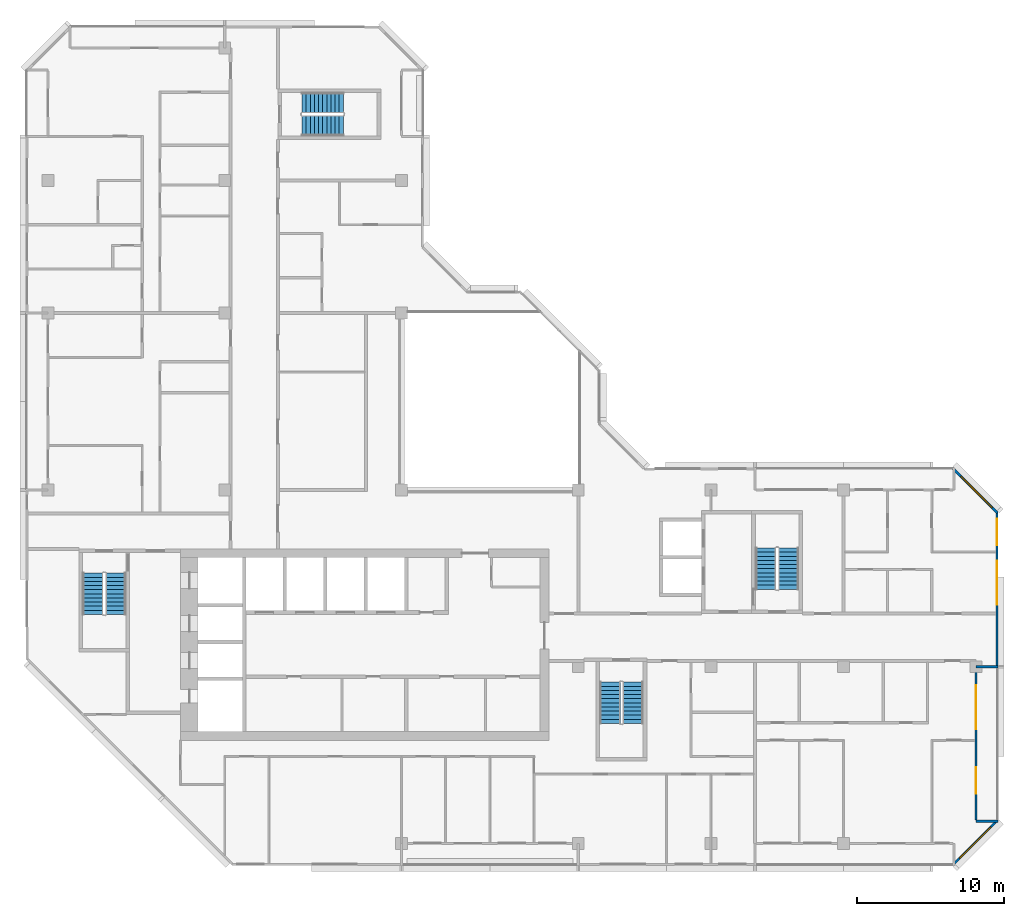
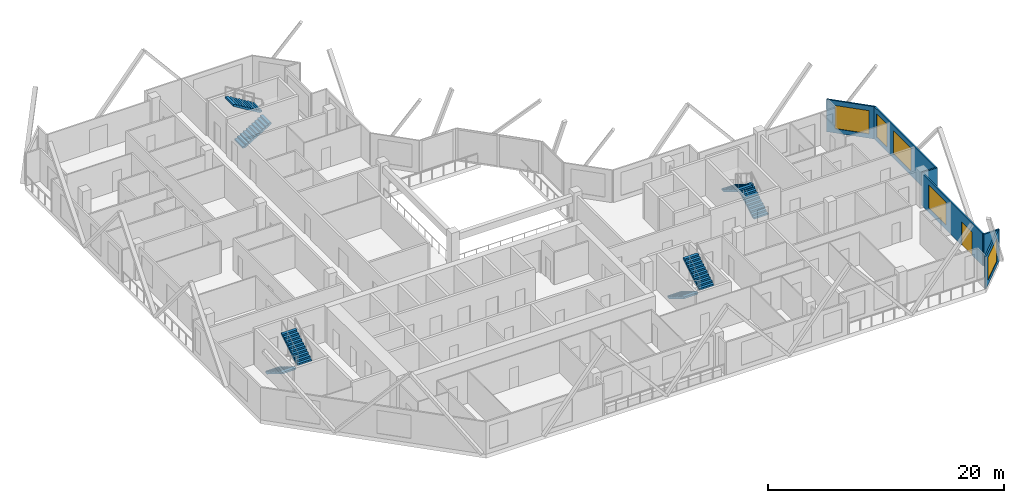
# One storey, part 11 of 13: 8 stair flights, 6 walls, 5 windows, 1 door, 6 openings, 4 elements without a shape of their own.
"""IFC4 building model written with IfcOpenShell, lengths in metres."""

from ifc_helpers import new_model, si_unit, direction, frame, frame_2d, origin, place, context, subcontext, project, spatial, polyline, rectangle, outline, extrude, material, layer, layer_set, type_object, element, fill, aggregate, save


model = new_model("IFC4")

# Units and contexts
model_context = context("Model", 3, precision=1e-05, world=origin(), true_north=direction((0.0, 1.0)))
body_context = subcontext(model_context, "Body", "Model", "MODEL_VIEW")
ifc_project = project(units=[si_unit("LENGTHUNIT", "METRE"), si_unit("AREAUNIT", "SQUARE_METRE"), si_unit("VOLUMEUNIT", "CUBIC_METRE"), si_unit("PLANEANGLEUNIT", "RADIAN"), si_unit("MASSUNIT", "GRAM", prefix="KILO")], contexts=[model_context])

# Site, building, storey
site_placement = place(None, origin())
site = spatial("IfcSite", under=ifc_project, at=site_placement, CompositionType="ELEMENT")
building_placement = place(site_placement, origin())
building = spatial("IfcBuilding", under=site, at=building_placement, Name="Chenar Terraces", CompositionType="ELEMENT")
storey_placement = place(building_placement, frame((0.0, 0.0, 288.39990234375)))
storey = spatial("IfcBuildingStorey", under=building, at=storey_placement, Name="L67", CompositionType="ELEMENT", Elevation=288.39990234375)

# Wall, openings, windows
ifc_material_1 = material(Name="Aluminium framed glazing", Category="aluminium")
ifc_layer_1 = layer(ifc_material_1, 0.14990234375)
ifc_layer_set_1 = layer_set([ifc_layer_1], Name="Aluminium framed glazing")
wall_type_1 = type_object("IfcWallType", Name="Glazed flush facade wall 150", PredefinedType="SOLIDWALL", material=ifc_layer_set_1)
wall_1_placement = place(storey_placement, frame((64.425048828125, 12.074951171875, 0.0), z_axis=(0.0, 0.0, 1.0), x_axis=(0.0, 1.0, 0.0)))
wall_1 = element("IfcWall", 1, at=wall_1_placement, inside=storey, type_object=wall_type_1, Name="Glazed flush facade wall", PredefinedType="SOLIDWALL", context=body_context, shape_type="SweptSolid", body=[
    extrude(rectangle(XDim=10.425048828125, YDim=0.14990234375, at=frame_2d((5.21240234375, 0.0))), origin(), (0.0, 0.0, 1.0), 3.35009765625),
])
opening_1_placement = place(wall_1_placement, frame((4.125, 0.0, 0.449951171875)))
opening_1 = element("IfcOpeningElement", 2, at=opening_1_placement, cuts=wall_1, Name="Opening W300x240", PredefinedType="OPENING", context=body_context, shape_type="SweptSolid", body=[
    extrude(rectangle(XDim=3.0, YDim=2.39990234375, at=frame_2d((1.5, 1.199951171875))), frame((0.0, 0.0849609375, 0.0), z_axis=(0.0, -1.0, 0.0), x_axis=(1.0, 0.0, 0.0)), (0.0, 0.0, 1.0), 0.169921875),
])
opening_2_placement = place(wall_1_placement, frame((8.175048828125, 0.0, 0.449951171875)))
opening_2 = element("IfcOpeningElement", 3, at=opening_2_placement, cuts=wall_1, Name="Opening W180x240", PredefinedType="OPENING", context=body_context, shape_type="SweptSolid", body=[
    extrude(rectangle(XDim=1.800048828125, YDim=2.39990234375, at=frame_2d((0.89990234375, 1.199951171875))), frame((0.0, 0.0849609375, 0.0), z_axis=(0.0, -1.0, 0.0), x_axis=(1.0, 0.0, 0.0)), (0.0, 0.0, 1.0), 0.169921875),
])
ifc_material_2 = material(Name="Low emissivity double glazing, aluminium frame", Category="aluminium")
window_type_1 = type_object("IfcWindowType", Name="Fixed light 1800 x 2400", PartitioningType="SINGLE_PANEL", PredefinedType="WINDOW", material=ifc_material_2)
window_1_placement = place(opening_2_placement, origin())
window_1 = element("IfcWindow", 4, at=window_1_placement, inside=storey, type_object=window_type_1, Name="Window", OverallHeight=2.39990234375, OverallWidth=1.800048828125, PartitioningType="SINGLE_PANEL", PredefinedType="WINDOW", context=body_context, shape_type="SweptSolid", body=[
    extrude(rectangle(XDim=1.800048828125, YDim=2.39990234375, at=frame_2d((0.89990234375, 1.199951171875))), frame((0.0, 0.030029296875, 0.0), z_axis=(0.0, -1.0, 0.0), x_axis=(1.0, 0.0, 0.0)), (0.0, 0.0, 1.0), 0.06005859375),
])
fill(opening_2, window_1)
ifc_material_3 = material(Name="Low emissivity double glazing, aluminium frame", Category="aluminium")
window_type_2 = type_object("IfcWindowType", Name="Fixed light 3000 x 2400", PartitioningType="SINGLE_PANEL", PredefinedType="WINDOW", material=ifc_material_3)
window_2_placement = place(opening_1_placement, origin())
window_2 = element("IfcWindow", 5, at=window_2_placement, inside=storey, type_object=window_type_2, Name="Window", OverallHeight=2.39990234375, OverallWidth=3.0, PartitioningType="SINGLE_PANEL", PredefinedType="WINDOW", context=body_context, shape_type="SweptSolid", body=[
    extrude(rectangle(XDim=3.0, YDim=2.39990234375, at=frame_2d((1.5, 1.199951171875))), frame((0.0, 0.030029296875, 0.0), z_axis=(0.0, -1.0, 0.0), x_axis=(1.0, 0.0, 0.0)), (0.0, 0.0, 1.0), 0.06005859375),
])
fill(opening_1, window_2)

# Wall, openings, window, door
ifc_material_4 = material(Name="Aluminium framed glazing", Category="aluminium")
ifc_layer_2 = layer(ifc_material_4, 0.14990234375)
ifc_layer_set_2 = layer_set([ifc_layer_2], Name="Aluminium framed glazing")
wall_type_2 = type_object("IfcWallType", Name="Glazed loggia back wall 150", PredefinedType="SOLIDWALL", material=ifc_layer_set_2)
wall_2_placement = place(storey_placement, frame((63.0, 1.574951171875, 0.0), z_axis=(0.0, 0.0, 1.0), x_axis=(0.0, 1.0, 0.0)))
wall_2 = element("IfcWall", 6, at=wall_2_placement, inside=storey, type_object=wall_type_2, Name="Glazed loggia back wall", PredefinedType="SOLIDWALL", context=body_context, shape_type="SweptSolid", body=[
    extrude(rectangle(XDim=10.35009765625, YDim=0.14990234375, at=frame_2d((5.175048828125, 0.0))), origin(), (0.0, 0.0, 1.0), 3.35009765625),
])
opening_3_placement = place(wall_2_placement, frame((1.8125, 0.0, 0.0)))
opening_3 = element("IfcOpeningElement", 7, at=opening_3_placement, cuts=wall_2, Name="Opening DL67-G7", PredefinedType="OPENING", context=body_context, shape_type="SweptSolid", body=[
    extrude(rectangle(XDim=1.800048828125, YDim=2.39990234375, at=frame_2d((0.89990234375, 1.199951171875))), frame((0.0, 0.0849609375, 0.0), z_axis=(0.0, -1.0, 0.0), x_axis=(1.0, 0.0, 0.0)), (0.0, 0.0, 1.0), 0.169921875),
])
opening_4_placement = place(wall_2_placement, frame((6.175048828125, 0.0, 0.449951171875)))
opening_4 = element("IfcOpeningElement", 8, at=opening_4_placement, cuts=wall_2, Name="Opening W300x240", PredefinedType="OPENING", context=body_context, shape_type="SweptSolid", body=[
    extrude(rectangle(XDim=3.0, YDim=2.39990234375, at=frame_2d((1.5, 1.199951171875))), frame((0.0, 0.0849609375, 0.0), z_axis=(0.0, -1.0, 0.0), x_axis=(1.0, 0.0, 0.0)), (0.0, 0.0, 1.0), 0.169921875),
])
window_3_placement = place(opening_4_placement, origin())
window_3 = element("IfcWindow", 9, at=window_3_placement, inside=storey, type_object=window_type_2, Name="Window", OverallHeight=2.39990234375, OverallWidth=3.0, PartitioningType="SINGLE_PANEL", PredefinedType="WINDOW", context=body_context, shape_type="SweptSolid", body=[
    extrude(rectangle(XDim=3.0, YDim=2.39990234375, at=frame_2d((1.5, 1.199951171875))), frame((0.0, 0.030029296875, 0.0), z_axis=(0.0, -1.0, 0.0), x_axis=(1.0, 0.0, 0.0)), (0.0, 0.0, 1.0), 0.06005859375),
])
fill(opening_4, window_3)
ifc_material_5 = material(Name="Low emissivity double glazing, aluminium frame", Category="aluminium")
door_type = type_object("IfcDoorType", Name="Loggia glazed double door 1800 x 2400", OperationType="DOUBLE_DOOR_SINGLE_SWING", PredefinedType="DOOR", material=ifc_material_5)
door_placement = place(opening_3_placement, frame((1.800048828125, 0.0, 0.0), z_axis=(0.0, 0.0, 1.0), x_axis=(-1.0, 0.0, 0.0)))
door = element("IfcDoor", 10, at=door_placement, inside=storey, type_object=door_type, Name="Loggia glazed door", OperationType="DOUBLE_DOOR_SINGLE_SWING", OverallHeight=2.39990234375, OverallWidth=1.800048828125, PredefinedType="DOOR", context=body_context, shape_type="SweptSolid", body=[
    extrude(rectangle(XDim=1.800048828125, YDim=2.39990234375, at=frame_2d((0.89990234375, 1.199951171875))), frame((0.0, 0.02490234375, 0.0), z_axis=(0.0, -1.0, 0.0), x_axis=(1.0, 0.0, 0.0)), (0.0, 0.0, 1.0), 0.050048828125),
])
fill(opening_3, door)

# Walls
ifc_material_6 = material(Name="Terracotta cladding on insulated backing", Category="masonry")
ifc_layer_3 = layer(ifc_material_6, 0.14990234375)
ifc_layer_set_3 = layer_set([ifc_layer_3], Name="Terracotta cladding on insulated backing")
wall_type_3 = type_object("IfcWallType", Name="Loggia return wall 150", PredefinedType="SOLIDWALL", material=ifc_layer_set_3)
for number, where, z_axis, x_axis, name in (
    (11, (64.5, 1.5, 0.0), (0.0, 0.0, 1.0), (-1.0, 0.0, 0.0), "Loggia return wall"),
    (12, (64.5, 12.0, 0.0), (0.0, 0.0, 1.0), (-1.0, 0.0, 0.0), "Loggia return wall"),
):
    element("IfcWall", number, at=place(storey_placement, frame(where, z_axis=z_axis, x_axis=x_axis)), inside=storey, type_object=wall_type_3, Name=name, PredefinedType="SOLIDWALL", context=body_context, shape_type="SweptSolid", body=[
        extrude(rectangle(XDim=1.5, YDim=0.14990234375, at=frame_2d((0.75, 0.0))), origin(), (0.0, 0.0, 1.0), 3.35009765625),
    ])

# Wall, opening, window
ifc_material_7 = material(Name="Terracotta cladding on insulated backing", Category="masonry")
ifc_layer_4 = layer(ifc_material_7, 0.14990234375)
ifc_layer_set_4 = layer_set([ifc_layer_4], Name="Terracotta cladding on insulated backing")
wall_type_4 = type_object("IfcWallType", Name="Terracotta rainscreen wall 150", PredefinedType="SOLIDWALL", material=ifc_layer_set_4)
wall_3_placement = place(storey_placement, frame((61.447021484375, -1.447021484375, 0.0), z_axis=(0.0, 0.0, 1.0), x_axis=(0.707106781187, 0.707106781187, 0.0)))
wall_3 = element("IfcWall", 13, at=wall_3_placement, inside=storey, type_object=wall_type_4, Name="Terracotta rainscreen wall", PredefinedType="SOLIDWALL", context=body_context, shape_type="SweptSolid", body=[
    extrude(rectangle(XDim=4.24267578125, YDim=0.14990234375, at=frame_2d((2.121337890625, 0.0))), origin(), (0.0, 0.0, 1.0), 3.35009765625),
])
opening_5_placement = place(wall_3_placement, frame((0.621337890625, 0.0, 0.449951171875)))
opening_5 = element("IfcOpeningElement", 14, at=opening_5_placement, cuts=wall_3, Name="Opening W300x240", PredefinedType="OPENING", context=body_context, shape_type="SweptSolid", body=[
    extrude(rectangle(XDim=3.0, YDim=2.39990234375, at=frame_2d((1.5, 1.199951171875))), frame((0.0, 0.0849609375, 0.0), z_axis=(0.0, -1.0, 0.0), x_axis=(1.0, 0.0, 0.0)), (0.0, 0.0, 1.0), 0.169921875),
])
window_4_placement = place(opening_5_placement, origin())
window_4 = element("IfcWindow", 15, at=window_4_placement, inside=storey, type_object=window_type_2, Name="Window", OverallHeight=2.39990234375, OverallWidth=3.0, PartitioningType="SINGLE_PANEL", PredefinedType="WINDOW", context=body_context, shape_type="SweptSolid", body=[
    extrude(rectangle(XDim=3.0, YDim=2.39990234375, at=frame_2d((1.5, 1.199951171875))), frame((0.0, 0.030029296875, 0.0), z_axis=(0.0, -1.0, 0.0), x_axis=(1.0, 0.0, 0.0)), (0.0, 0.0, 1.0), 0.06005859375),
])
fill(opening_5, window_4)

wall_4_placement = place(storey_placement, frame((64.447021484375, 22.447021484375, 0.0), z_axis=(0.0, 0.0, 1.0), x_axis=(-0.707106781187, 0.707106781187, 0.0)))
wall_4 = element("IfcWall", 16, at=wall_4_placement, inside=storey, type_object=wall_type_4, Name="Terracotta rainscreen wall", PredefinedType="SOLIDWALL", context=body_context, shape_type="SweptSolid", body=[
    extrude(rectangle(XDim=4.24267578125, YDim=0.14990234375, at=frame_2d((2.121337890625, 0.0))), origin(), (0.0, 0.0, 1.0), 3.35009765625),
])
opening_6_placement = place(wall_4_placement, frame((0.498046875, 0.0, 0.449951171875)))
opening_6 = element("IfcOpeningElement", 17, at=opening_6_placement, cuts=wall_4, Name="Opening W300x240", PredefinedType="OPENING", context=body_context, shape_type="SweptSolid", body=[
    extrude(rectangle(XDim=3.0, YDim=2.39990234375, at=frame_2d((1.5, 1.199951171875))), frame((0.0, 0.0849609375, 0.0), z_axis=(0.0, -1.0, 0.0), x_axis=(1.0, 0.0, 0.0)), (0.0, 0.0, 1.0), 0.169921875),
])
window_5_placement = place(opening_6_placement, origin())
window_5 = element("IfcWindow", 18, at=window_5_placement, inside=storey, type_object=window_type_2, Name="Window", OverallHeight=2.39990234375, OverallWidth=3.0, PartitioningType="SINGLE_PANEL", PredefinedType="WINDOW", context=body_context, shape_type="SweptSolid", body=[
    extrude(rectangle(XDim=3.0, YDim=2.39990234375, at=frame_2d((1.5, 1.199951171875))), frame((0.0, 0.030029296875, 0.0), z_axis=(0.0, -1.0, 0.0), x_axis=(1.0, 0.0, 0.0)), (0.0, 0.0, 1.0), 0.06005859375),
])
fill(opening_6, window_5)

# Stair, stair flights
ifc_material_8 = material(Name="Reinforced concrete C40/50", Category="concrete")
stair_type = type_object("IfcStairType", Name="Core stair 1400 half-turn", PredefinedType="HALF_TURN_STAIR", material=ifc_material_8)
placement = place(storey_placement, origin())
stair_1 = element("IfcStair", 19, at=placement, inside=storey, type_object=stair_type, Name="L67 Stair 1", PredefinedType="HALF_TURN_STAIR")
ifc_material_9 = material(Name="Reinforced concrete C40/50", Category="concrete")
stair_flight_type = type_object("IfcStairFlightType", Name="Core stair flight 1400", PredefinedType="STRAIGHT", material=ifc_material_9)
stair_flight_1_placement = place(storey_placement, frame((3.050048828125, 18.35009765625, 0.0), z_axis=(0.0, 0.0, 1.0), x_axis=(0.0, -1.0, 0.0)))
stair_flight_1 = element("IfcStairFlight", 20, at=stair_flight_1_placement, type_object=stair_flight_type, Name="ST1 flight 1", NumberOfRisers=11, NumberOfTreads=10, PredefinedType="STRAIGHT", RiserHeight=0.170454545, TreadLength=0.28, context=body_context, shape_type="SweptSolid", body=[
    extrude(outline(polyline([(-0.0029296875, 0.0), (-0.0029296875, 0.17041015625), (0.0, 0.17041015625), (0.280029296875, 0.17041015625), (0.280029296875, 0.3408203125), (0.56005859375, 0.3408203125), (0.56005859375, 0.511474609375), (0.840087890625, 0.511474609375), (0.840087890625, 0.681884765625), (1.1201171875, 0.681884765625), (1.1201171875, 0.852294921875), (1.39990234375, 0.852294921875), (1.39990234375, 1.022705078125), (1.679931640625, 1.022705078125), (1.679931640625, 1.193115234375), (1.9599609375, 1.193115234375), (1.9599609375, 1.363525390625), (2.239990234375, 1.363525390625), (2.239990234375, 1.5341796875), (2.52001953125, 1.5341796875), (2.52001953125, 1.70458984375), (2.800048828125, 1.70458984375), (2.802978515625, 1.70458984375), (2.802978515625, 1.529052734375), (2.800048828125, 1.529052734375), (0.288330078125, 0.0), (-0.0029296875, 0.0)])), frame((0.0, 0.699951171875, 0.0), z_axis=(0.0, -1.0, 0.0), x_axis=(1.0, 0.0, 0.0)), (0.0, 0.0, 1.0), 1.39990234375),
])
stair_flight_2_placement = place(storey_placement, frame((4.60009765625, 15.550048828125, 1.875), z_axis=(0.0, 0.0, 1.0), x_axis=(0.0, 1.0, 0.0)))
stair_flight_2 = element("IfcStairFlight", 21, at=stair_flight_2_placement, type_object=stair_flight_type, Name="ST1 flight 2", NumberOfRisers=11, NumberOfTreads=10, PredefinedType="STRAIGHT", RiserHeight=0.170454545, TreadLength=0.28, context=body_context, shape_type="SweptSolid", body=[
    extrude(outline(polyline([(-0.0029296875, 0.0), (-0.0029296875, 0.17041015625), (0.0, 0.17041015625), (0.280029296875, 0.17041015625), (0.280029296875, 0.3408203125), (0.56005859375, 0.3408203125), (0.56005859375, 0.511474609375), (0.840087890625, 0.511474609375), (0.840087890625, 0.681884765625), (1.1201171875, 0.681884765625), (1.1201171875, 0.852294921875), (1.39990234375, 0.852294921875), (1.39990234375, 1.022705078125), (1.679931640625, 1.022705078125), (1.679931640625, 1.193115234375), (1.9599609375, 1.193115234375), (1.9599609375, 1.363525390625), (2.239990234375, 1.363525390625), (2.239990234375, 1.5341796875), (2.52001953125, 1.5341796875), (2.52001953125, 1.70458984375), (2.800048828125, 1.70458984375), (2.802978515625, 1.70458984375), (2.802978515625, 1.529052734375), (2.800048828125, 1.529052734375), (0.288330078125, 0.0), (-0.0029296875, 0.0)])), frame((0.0, 0.699951171875, 0.0), z_axis=(0.0, -1.0, 0.0), x_axis=(1.0, 0.0, 0.0)), (0.0, 0.0, 1.0), 1.39990234375),
])
aggregate(stair_1, [stair_flight_1, stair_flight_2])

stair_2 = element("IfcStair", 22, at=placement, inside=storey, type_object=stair_type, Name="L67 Stair 2", PredefinedType="HALF_TURN_STAIR")
stair_flight_3_placement = place(storey_placement, frame((38.14990234375, 10.949951171875, 0.0), z_axis=(0.0, 0.0, 1.0), x_axis=(0.0, -1.0, 0.0)))
stair_flight_3 = element("IfcStairFlight", 23, at=stair_flight_3_placement, type_object=stair_flight_type, Name="ST2 flight 1", NumberOfRisers=11, NumberOfTreads=10, PredefinedType="STRAIGHT", RiserHeight=0.170454545, TreadLength=0.28, context=body_context, shape_type="SweptSolid", body=[
    extrude(outline(polyline([(-0.0029296875, 0.0), (-0.0029296875, 0.17041015625), (0.0, 0.17041015625), (0.280029296875, 0.17041015625), (0.280029296875, 0.3408203125), (0.56005859375, 0.3408203125), (0.56005859375, 0.511474609375), (0.840087890625, 0.511474609375), (0.840087890625, 0.681884765625), (1.1201171875, 0.681884765625), (1.1201171875, 0.852294921875), (1.39990234375, 0.852294921875), (1.39990234375, 1.022705078125), (1.679931640625, 1.022705078125), (1.679931640625, 1.193115234375), (1.9599609375, 1.193115234375), (1.9599609375, 1.363525390625), (2.239990234375, 1.363525390625), (2.239990234375, 1.5341796875), (2.52001953125, 1.5341796875), (2.52001953125, 1.70458984375), (2.800048828125, 1.70458984375), (2.802978515625, 1.70458984375), (2.802978515625, 1.529052734375), (2.800048828125, 1.529052734375), (0.288330078125, 0.0), (-0.0029296875, 0.0)])), frame((0.0, 0.699951171875, 0.0), z_axis=(0.0, -1.0, 0.0), x_axis=(1.0, 0.0, 0.0)), (0.0, 0.0, 1.0), 1.39990234375),
])
stair_flight_4_placement = place(storey_placement, frame((39.699951171875, 8.14990234375, 1.875), z_axis=(0.0, 0.0, 1.0), x_axis=(0.0, 1.0, 0.0)))
stair_flight_4 = element("IfcStairFlight", 24, at=stair_flight_4_placement, type_object=stair_flight_type, Name="ST2 flight 2", NumberOfRisers=11, NumberOfTreads=10, PredefinedType="STRAIGHT", RiserHeight=0.170454545, TreadLength=0.28, context=body_context, shape_type="SweptSolid", body=[
    extrude(outline(polyline([(-0.0029296875, 0.0), (-0.0029296875, 0.17041015625), (0.0, 0.17041015625), (0.280029296875, 0.17041015625), (0.280029296875, 0.3408203125), (0.56005859375, 0.3408203125), (0.56005859375, 0.511474609375), (0.840087890625, 0.511474609375), (0.840087890625, 0.681884765625), (1.1201171875, 0.681884765625), (1.1201171875, 0.852294921875), (1.39990234375, 0.852294921875), (1.39990234375, 1.022705078125), (1.679931640625, 1.022705078125), (1.679931640625, 1.193115234375), (1.9599609375, 1.193115234375), (1.9599609375, 1.363525390625), (2.239990234375, 1.363525390625), (2.239990234375, 1.5341796875), (2.52001953125, 1.5341796875), (2.52001953125, 1.70458984375), (2.800048828125, 1.70458984375), (2.802978515625, 1.70458984375), (2.802978515625, 1.529052734375), (2.800048828125, 1.529052734375), (0.288330078125, 0.0), (-0.0029296875, 0.0)])), frame((0.0, 0.699951171875, 0.0), z_axis=(0.0, -1.0, 0.0), x_axis=(1.0, 0.0, 0.0)), (0.0, 0.0, 1.0), 1.39990234375),
])
aggregate(stair_2, [stair_flight_3, stair_flight_4])

stair_3 = element("IfcStair", 25, at=placement, inside=storey, type_object=stair_type, Name="L67 Stair 3", PredefinedType="HALF_TURN_STAIR")
stair_flight_5_placement = place(storey_placement, frame((50.27490234375, 17.25, 0.0), z_axis=(0.0, 0.0, 1.0), x_axis=(0.0, 1.0, 0.0)))
stair_flight_5 = element("IfcStairFlight", 26, at=stair_flight_5_placement, type_object=stair_flight_type, Name="ST3 flight 1", NumberOfRisers=11, NumberOfTreads=10, PredefinedType="STRAIGHT", RiserHeight=0.170454545, TreadLength=0.28, context=body_context, shape_type="SweptSolid", body=[
    extrude(outline(polyline([(-0.0029296875, 0.0), (-0.0029296875, 0.17041015625), (0.0, 0.17041015625), (0.280029296875, 0.17041015625), (0.280029296875, 0.3408203125), (0.56005859375, 0.3408203125), (0.56005859375, 0.511474609375), (0.840087890625, 0.511474609375), (0.840087890625, 0.681884765625), (1.1201171875, 0.681884765625), (1.1201171875, 0.852294921875), (1.39990234375, 0.852294921875), (1.39990234375, 1.022705078125), (1.679931640625, 1.022705078125), (1.679931640625, 1.193115234375), (1.9599609375, 1.193115234375), (1.9599609375, 1.363525390625), (2.239990234375, 1.363525390625), (2.239990234375, 1.5341796875), (2.52001953125, 1.5341796875), (2.52001953125, 1.70458984375), (2.800048828125, 1.70458984375), (2.802978515625, 1.70458984375), (2.802978515625, 1.529052734375), (2.800048828125, 1.529052734375), (0.288330078125, 0.0), (-0.0029296875, 0.0)])), frame((0.0, 0.699951171875, 0.0), z_axis=(0.0, -1.0, 0.0), x_axis=(1.0, 0.0, 0.0)), (0.0, 0.0, 1.0), 1.39990234375),
])
stair_flight_6_placement = place(storey_placement, frame((48.72509765625, 20.050048828125, 1.875), z_axis=(0.0, 0.0, 1.0), x_axis=(0.0, -1.0, 0.0)))
stair_flight_6 = element("IfcStairFlight", 27, at=stair_flight_6_placement, type_object=stair_flight_type, Name="ST3 flight 2", NumberOfRisers=11, NumberOfTreads=10, PredefinedType="STRAIGHT", RiserHeight=0.170454545, TreadLength=0.28, context=body_context, shape_type="SweptSolid", body=[
    extrude(outline(polyline([(-0.0029296875, 0.0), (-0.0029296875, 0.17041015625), (0.0, 0.17041015625), (0.280029296875, 0.17041015625), (0.280029296875, 0.3408203125), (0.56005859375, 0.3408203125), (0.56005859375, 0.511474609375), (0.840087890625, 0.511474609375), (0.840087890625, 0.681884765625), (1.1201171875, 0.681884765625), (1.1201171875, 0.852294921875), (1.39990234375, 0.852294921875), (1.39990234375, 1.022705078125), (1.679931640625, 1.022705078125), (1.679931640625, 1.193115234375), (1.9599609375, 1.193115234375), (1.9599609375, 1.363525390625), (2.239990234375, 1.363525390625), (2.239990234375, 1.5341796875), (2.52001953125, 1.5341796875), (2.52001953125, 1.70458984375), (2.800048828125, 1.70458984375), (2.802978515625, 1.70458984375), (2.802978515625, 1.529052734375), (2.800048828125, 1.529052734375), (0.288330078125, 0.0), (-0.0029296875, 0.0)])), frame((0.0, 0.699951171875, 0.0), z_axis=(0.0, -1.0, 0.0), x_axis=(1.0, 0.0, 0.0)), (0.0, 0.0, 1.0), 1.39990234375),
])
aggregate(stair_3, [stair_flight_5, stair_flight_6])

stair_4 = element("IfcStair", 28, at=placement, inside=storey, type_object=stair_type, Name="L67 Stair 4", PredefinedType="HALF_TURN_STAIR")
stair_flight_7_placement = place(storey_placement, frame((17.25, 48.72509765625, 0.0), z_axis=(0.0, 0.0, 1.0), x_axis=(1.0, 0.0, 0.0)))
stair_flight_7 = element("IfcStairFlight", 29, at=stair_flight_7_placement, type_object=stair_flight_type, Name="ST4 flight 1", NumberOfRisers=11, NumberOfTreads=10, PredefinedType="STRAIGHT", RiserHeight=0.170454545, TreadLength=0.28, context=body_context, shape_type="SweptSolid", body=[
    extrude(outline(polyline([(-0.0029296875, 0.0), (-0.0029296875, 0.17041015625), (0.0, 0.17041015625), (0.280029296875, 0.17041015625), (0.280029296875, 0.3408203125), (0.56005859375, 0.3408203125), (0.56005859375, 0.511474609375), (0.840087890625, 0.511474609375), (0.840087890625, 0.681884765625), (1.1201171875, 0.681884765625), (1.1201171875, 0.852294921875), (1.39990234375, 0.852294921875), (1.39990234375, 1.022705078125), (1.679931640625, 1.022705078125), (1.679931640625, 1.193115234375), (1.9599609375, 1.193115234375), (1.9599609375, 1.363525390625), (2.239990234375, 1.363525390625), (2.239990234375, 1.5341796875), (2.52001953125, 1.5341796875), (2.52001953125, 1.70458984375), (2.800048828125, 1.70458984375), (2.802978515625, 1.70458984375), (2.802978515625, 1.529052734375), (2.800048828125, 1.529052734375), (0.288330078125, 0.0), (-0.0029296875, 0.0)])), frame((0.0, 0.699951171875, 0.0), z_axis=(0.0, -1.0, 0.0), x_axis=(1.0, 0.0, 0.0)), (0.0, 0.0, 1.0), 1.39990234375),
])
stair_flight_8_placement = place(storey_placement, frame((20.050048828125, 50.27490234375, 1.875), z_axis=(0.0, 0.0, 1.0), x_axis=(-1.0, 0.0, 0.0)))
stair_flight_8 = element("IfcStairFlight", 30, at=stair_flight_8_placement, type_object=stair_flight_type, Name="ST4 flight 2", NumberOfRisers=11, NumberOfTreads=10, PredefinedType="STRAIGHT", RiserHeight=0.170454545, TreadLength=0.28, context=body_context, shape_type="SweptSolid", body=[
    extrude(outline(polyline([(-0.0029296875, 0.0), (-0.0029296875, 0.17041015625), (0.0, 0.17041015625), (0.280029296875, 0.17041015625), (0.280029296875, 0.3408203125), (0.56005859375, 0.3408203125), (0.56005859375, 0.511474609375), (0.840087890625, 0.511474609375), (0.840087890625, 0.681884765625), (1.1201171875, 0.681884765625), (1.1201171875, 0.852294921875), (1.39990234375, 0.852294921875), (1.39990234375, 1.022705078125), (1.679931640625, 1.022705078125), (1.679931640625, 1.193115234375), (1.9599609375, 1.193115234375), (1.9599609375, 1.363525390625), (2.239990234375, 1.363525390625), (2.239990234375, 1.5341796875), (2.52001953125, 1.5341796875), (2.52001953125, 1.70458984375), (2.800048828125, 1.70458984375), (2.802978515625, 1.70458984375), (2.802978515625, 1.529052734375), (2.800048828125, 1.529052734375), (0.288330078125, 0.0), (-0.0029296875, 0.0)])), frame((0.0, 0.699951171875, 0.0), z_axis=(0.0, -1.0, 0.0), x_axis=(1.0, 0.0, 0.0)), (0.0, 0.0, 1.0), 1.39990234375),
])
aggregate(stair_4, [stair_flight_7, stair_flight_8])

save(model, "model.ifc")
